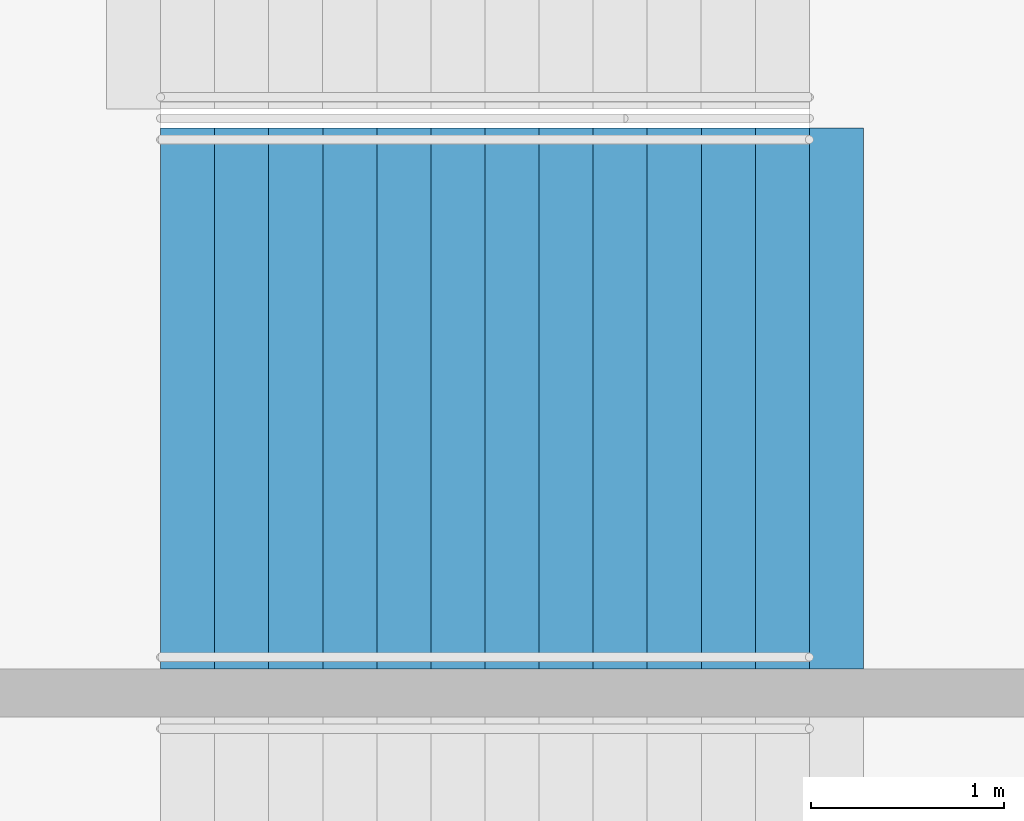
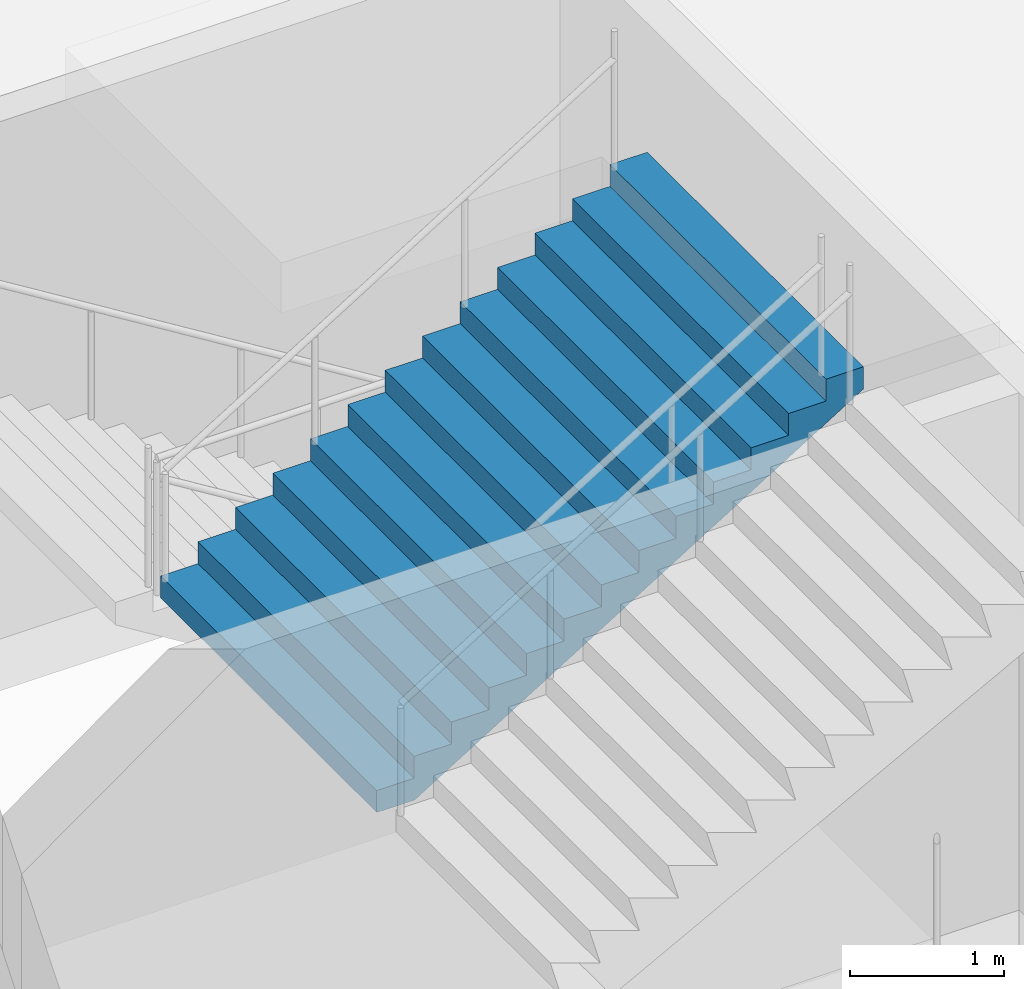
# One storey, part 192 of 249: 1 stair flight, 1 element without a shape of its own.
"""IFC4 building model written with IfcOpenShell, lengths in metres."""

from ifc_helpers import new_model, si_unit, direction, frame, origin, place, context, subcontext, project, spatial, faceted_brep, material, type_object, element, aggregate, save


model = new_model("IFC4")

# Units and contexts
model_context = context("Model", 3, precision=1e-05, world=origin(), true_north=direction((0.0, 1.0)))
body_context = subcontext(model_context, "Body", "Model", "MODEL_VIEW")
ifc_project = project(units=[si_unit("LENGTHUNIT", "METRE"), si_unit("AREAUNIT", "SQUARE_METRE"), si_unit("VOLUMEUNIT", "CUBIC_METRE"), si_unit("PLANEANGLEUNIT", "RADIAN"), si_unit("MASSUNIT", "GRAM", prefix="KILO")], contexts=[model_context])

# Site, building, storey
site_placement = place(None, origin())
site = spatial("IfcSite", under=ifc_project, at=site_placement, CompositionType="ELEMENT")
building_placement = place(site_placement, origin())
building = spatial("IfcBuilding", under=site, at=building_placement, Name="Ogive Plaza Stadium", CompositionType="ELEMENT")
storey_placement = place(building_placement, frame((0.0, 0.0, 13.5)))
storey = spatial("IfcBuildingStorey", under=building, at=storey_placement, Name="L03", CompositionType="ELEMENT", Elevation=13.5)

# Stair, stair flight
ifc_material_1 = material(Name="Concrete C40/50", Category="concrete")
stair_type = type_object("IfcStairType", Name="Exit stair", PredefinedType="STRAIGHT_RUN_STAIR", material=ifc_material_1)
stair_placement = place(storey_placement, origin())
stair = element("IfcStair", 1, at=stair_placement, inside=storey, type_object=stair_type, Name="Exit stair ST28A L03 to L04", PredefinedType="STRAIGHT_RUN_STAIR")
ifc_material_2 = material(Name="Concrete C40/50", Category="concrete")
stair_flight_type = type_object("IfcStairFlightType", Name="Exit stair flight", PredefinedType="STRAIGHT", material=ifc_material_2)
stair_flight_placement = place(storey_placement, frame((-79.7099609375, 54.02490234375, 2.25), z_axis=(0.0, 0.0, 1.0), x_axis=(1.0, 0.0, 0.0)))
stair_flight = element("IfcStairFlight", 2, at=stair_flight_placement, type_object=stair_flight_type, Name="ST28A flight 2", NumberOfRisers=13, NumberOfTreads=12, PredefinedType="STRAIGHT", RiserHeight=0.173076923, TreadLength=0.28, context=body_context, shape_type="Brep", body=[
    faceted_brep([(0.28515625, -1.39990234375, 0.0), (3.639892578125, -1.39990234375, 2.07373046875), (3.639892578125, -1.39990234375, 2.25), (3.360107421875, -1.39990234375, 2.25), (3.360107421875, -1.39990234375, 2.076904296875), (3.080078125, -1.39990234375, 2.076904296875), (3.080078125, -1.39990234375, 1.90380859375), (2.800048828125, -1.39990234375, 1.90380859375), (2.800048828125, -1.39990234375, 1.730712890625), (2.52001953125, -1.39990234375, 1.730712890625), (2.52001953125, -1.39990234375, 1.5576171875), (2.239990234375, -1.39990234375, 1.5576171875), (2.239990234375, -1.39990234375, 1.384521484375), (1.9599609375, -1.39990234375, 1.384521484375), (1.9599609375, -1.39990234375, 1.21142578125), (1.679931640625, -1.39990234375, 1.21142578125), (1.679931640625, -1.39990234375, 1.03857421875), (1.39990234375, -1.39990234375, 1.03857421875), (1.39990234375, -1.39990234375, 0.865478515625), (1.1201171875, -1.39990234375, 0.865478515625), (1.1201171875, -1.39990234375, 0.6923828125), (0.840087890625, -1.39990234375, 0.6923828125), (0.840087890625, -1.39990234375, 0.519287109375), (0.56005859375, -1.39990234375, 0.519287109375), (0.56005859375, -1.39990234375, 0.34619140625), (0.280029296875, -1.39990234375, 0.34619140625), (0.280029296875, -1.39990234375, 0.173095703125), (0.0, -1.39990234375, 0.173095703125), (0.0, -1.39990234375, 0.0), (0.0, 1.39990234375, 0.0), (0.0, 1.39990234375, 0.173095703125), (0.280029296875, 1.39990234375, 0.173095703125), (0.280029296875, 1.39990234375, 0.34619140625), (0.56005859375, 1.39990234375, 0.34619140625), (0.56005859375, 1.39990234375, 0.519287109375), (0.840087890625, 1.39990234375, 0.519287109375), (0.840087890625, 1.39990234375, 0.6923828125), (1.1201171875, 1.39990234375, 0.6923828125), (1.1201171875, 1.39990234375, 0.865478515625), (1.39990234375, 1.39990234375, 0.865478515625), (1.39990234375, 1.39990234375, 1.03857421875), (1.679931640625, 1.39990234375, 1.03857421875), (1.679931640625, 1.39990234375, 1.21142578125), (1.9599609375, 1.39990234375, 1.21142578125), (1.9599609375, 1.39990234375, 1.384521484375), (2.239990234375, 1.39990234375, 1.384521484375), (2.239990234375, 1.39990234375, 1.5576171875), (2.52001953125, 1.39990234375, 1.5576171875), (2.52001953125, 1.39990234375, 1.730712890625), (2.800048828125, 1.39990234375, 1.730712890625), (2.800048828125, 1.39990234375, 1.90380859375), (3.080078125, 1.39990234375, 1.90380859375), (3.080078125, 1.39990234375, 2.076904296875), (3.360107421875, 1.39990234375, 2.076904296875), (3.360107421875, 1.39990234375, 2.25), (3.639892578125, 1.39990234375, 2.25), (3.639892578125, 1.39990234375, 2.07373046875), (0.28515625, 1.39990234375, 0.0), (0.28515625, -1.0888671875, 0.0), (3.639892578125, -1.0888671875, 2.07373046875), (0.28515625, -0.77783203125, 0.0), (3.639892578125, -0.77783203125, 2.07373046875), (0.28515625, -0.466796875, 0.0), (3.639892578125, -0.466796875, 2.07373046875), (0.28515625, -0.155517578125, 0.0), (3.639892578125, -0.155517578125, 2.07373046875), (0.28515625, 0.155517578125, 0.0), (3.639892578125, 0.155517578125, 2.07373046875), (0.28515625, 0.466796875, 0.0), (3.639892578125, 0.466796875, 2.07373046875), (0.28515625, 0.77783203125, 0.0), (3.639892578125, 0.77783203125, 2.07373046875), (0.28515625, 1.0888671875, 0.0), (3.639892578125, 1.0888671875, 2.07373046875), (3.639892578125, -1.0888671875, 2.25), (3.639892578125, -0.77783203125, 2.25), (3.639892578125, -0.466796875, 2.25), (3.639892578125, -0.155517578125, 2.25), (3.639892578125, 0.155517578125, 2.25), (3.639892578125, 0.466796875, 2.25), (3.639892578125, 0.77783203125, 2.25), (3.639892578125, 1.0888671875, 2.25), (3.360107421875, -1.0888671875, 2.25), (3.360107421875, -0.77783203125, 2.25), (3.360107421875, -0.466796875, 2.25), (3.360107421875, -0.155517578125, 2.25), (3.360107421875, 0.155517578125, 2.25), (3.360107421875, 0.466796875, 2.25), (3.360107421875, 0.77783203125, 2.25), (3.360107421875, 1.0888671875, 2.25), (3.360107421875, -1.0888671875, 2.076904296875), (3.360107421875, -0.77783203125, 2.076904296875), (3.360107421875, -0.466796875, 2.076904296875), (3.360107421875, -0.155517578125, 2.076904296875), (3.360107421875, 0.155517578125, 2.076904296875), (3.360107421875, 0.466796875, 2.076904296875), (3.360107421875, 0.77783203125, 2.076904296875), (3.360107421875, 1.0888671875, 2.076904296875), (3.080078125, -1.0888671875, 2.076904296875), (3.080078125, -0.77783203125, 2.076904296875), (3.080078125, -0.466796875, 2.076904296875), (3.080078125, -0.155517578125, 2.076904296875), (3.080078125, 0.155517578125, 2.076904296875), (3.080078125, 0.466796875, 2.076904296875), (3.080078125, 0.77783203125, 2.076904296875), (3.080078125, 1.0888671875, 2.076904296875), (3.080078125, -1.0888671875, 1.90380859375), (3.080078125, -0.77783203125, 1.90380859375), (3.080078125, -0.466796875, 1.90380859375), (3.080078125, -0.155517578125, 1.90380859375), (3.080078125, 0.155517578125, 1.90380859375), (3.080078125, 0.466796875, 1.90380859375), (3.080078125, 0.77783203125, 1.90380859375), (3.080078125, 1.0888671875, 1.90380859375), (2.800048828125, -1.0888671875, 1.90380859375), (2.800048828125, -0.77783203125, 1.90380859375), (2.800048828125, -0.466796875, 1.90380859375), (2.800048828125, -0.155517578125, 1.90380859375), (2.800048828125, 0.155517578125, 1.90380859375), (2.800048828125, 0.466796875, 1.90380859375), (2.800048828125, 0.77783203125, 1.90380859375), (2.800048828125, 1.0888671875, 1.90380859375), (2.800048828125, -1.0888671875, 1.730712890625), (2.800048828125, -0.77783203125, 1.730712890625), (2.800048828125, -0.466796875, 1.730712890625), (2.800048828125, -0.155517578125, 1.730712890625), (2.800048828125, 0.155517578125, 1.730712890625), (2.800048828125, 0.466796875, 1.730712890625), (2.800048828125, 0.77783203125, 1.730712890625), (2.800048828125, 1.0888671875, 1.730712890625), (2.52001953125, -1.0888671875, 1.730712890625), (2.52001953125, -0.77783203125, 1.730712890625), (2.52001953125, -0.466796875, 1.730712890625), (2.52001953125, -0.155517578125, 1.730712890625), (2.52001953125, 0.155517578125, 1.730712890625), (2.52001953125, 0.466796875, 1.730712890625), (2.52001953125, 0.77783203125, 1.730712890625), (2.52001953125, 1.0888671875, 1.730712890625), (2.52001953125, -1.0888671875, 1.5576171875), (2.52001953125, -0.77783203125, 1.5576171875), (2.52001953125, -0.466796875, 1.5576171875), (2.52001953125, -0.155517578125, 1.5576171875), (2.52001953125, 0.155517578125, 1.5576171875), (2.52001953125, 0.466796875, 1.5576171875), (2.52001953125, 0.77783203125, 1.5576171875), (2.52001953125, 1.0888671875, 1.5576171875), (2.239990234375, -1.0888671875, 1.5576171875), (2.239990234375, -0.77783203125, 1.5576171875), (2.239990234375, -0.466796875, 1.5576171875), (2.239990234375, -0.155517578125, 1.5576171875), (2.239990234375, 0.155517578125, 1.5576171875), (2.239990234375, 0.466796875, 1.5576171875), (2.239990234375, 0.77783203125, 1.5576171875), (2.239990234375, 1.0888671875, 1.5576171875), (2.239990234375, -1.0888671875, 1.384521484375), (2.239990234375, -0.77783203125, 1.384521484375), (2.239990234375, -0.466796875, 1.384521484375), (2.239990234375, -0.155517578125, 1.384521484375), (2.239990234375, 0.155517578125, 1.384521484375), (2.239990234375, 0.466796875, 1.384521484375), (2.239990234375, 0.77783203125, 1.384521484375), (2.239990234375, 1.0888671875, 1.384521484375), (1.9599609375, -1.0888671875, 1.384521484375), (1.9599609375, -0.77783203125, 1.384521484375), (1.9599609375, -0.466796875, 1.384521484375), (1.9599609375, -0.155517578125, 1.384521484375), (1.9599609375, 0.155517578125, 1.384521484375), (1.9599609375, 0.466796875, 1.384521484375), (1.9599609375, 0.77783203125, 1.384521484375), (1.9599609375, 1.0888671875, 1.384521484375), (1.9599609375, -1.0888671875, 1.21142578125), (1.9599609375, -0.77783203125, 1.21142578125), (1.9599609375, -0.466796875, 1.21142578125), (1.9599609375, -0.155517578125, 1.21142578125), (1.9599609375, 0.155517578125, 1.21142578125), (1.9599609375, 0.466796875, 1.21142578125), (1.9599609375, 0.77783203125, 1.21142578125), (1.9599609375, 1.0888671875, 1.21142578125), (1.679931640625, -1.0888671875, 1.21142578125), (1.679931640625, -0.77783203125, 1.21142578125), (1.679931640625, -0.466796875, 1.21142578125), (1.679931640625, -0.155517578125, 1.21142578125), (1.679931640625, 0.155517578125, 1.21142578125), (1.679931640625, 0.466796875, 1.21142578125), (1.679931640625, 0.77783203125, 1.21142578125), (1.679931640625, 1.0888671875, 1.21142578125), (1.679931640625, -1.0888671875, 1.03857421875), (1.679931640625, -0.77783203125, 1.03857421875), (1.679931640625, -0.466796875, 1.03857421875), (1.679931640625, -0.155517578125, 1.03857421875), (1.679931640625, 0.155517578125, 1.03857421875), (1.679931640625, 0.466796875, 1.03857421875), (1.679931640625, 0.77783203125, 1.03857421875), (1.679931640625, 1.0888671875, 1.03857421875), (1.39990234375, -1.0888671875, 1.03857421875), (1.39990234375, -0.77783203125, 1.03857421875), (1.39990234375, -0.466796875, 1.03857421875), (1.39990234375, -0.155517578125, 1.03857421875), (1.39990234375, 0.155517578125, 1.03857421875), (1.39990234375, 0.466796875, 1.03857421875), (1.39990234375, 0.77783203125, 1.03857421875), (1.39990234375, 1.0888671875, 1.03857421875), (1.39990234375, -1.0888671875, 0.865478515625), (1.39990234375, -0.77783203125, 0.865478515625), (1.39990234375, -0.466796875, 0.865478515625), (1.39990234375, -0.155517578125, 0.865478515625), (1.39990234375, 0.155517578125, 0.865478515625), (1.39990234375, 0.466796875, 0.865478515625), (1.39990234375, 0.77783203125, 0.865478515625), (1.39990234375, 1.0888671875, 0.865478515625), (1.1201171875, -1.0888671875, 0.865478515625), (1.1201171875, -0.77783203125, 0.865478515625), (1.1201171875, -0.466796875, 0.865478515625), (1.1201171875, -0.155517578125, 0.865478515625), (1.1201171875, 0.155517578125, 0.865478515625), (1.1201171875, 0.466796875, 0.865478515625), (1.1201171875, 0.77783203125, 0.865478515625), (1.1201171875, 1.0888671875, 0.865478515625), (1.1201171875, -1.0888671875, 0.6923828125), (1.1201171875, -0.77783203125, 0.6923828125), (1.1201171875, -0.466796875, 0.6923828125), (1.1201171875, -0.155517578125, 0.6923828125), (1.1201171875, 0.155517578125, 0.6923828125), (1.1201171875, 0.466796875, 0.6923828125), (1.1201171875, 0.77783203125, 0.6923828125), (1.1201171875, 1.0888671875, 0.6923828125), (0.840087890625, -1.0888671875, 0.6923828125), (0.840087890625, -0.77783203125, 0.6923828125), (0.840087890625, -0.466796875, 0.6923828125), (0.840087890625, -0.155517578125, 0.6923828125), (0.840087890625, 0.155517578125, 0.6923828125), (0.840087890625, 0.466796875, 0.6923828125), (0.840087890625, 0.77783203125, 0.6923828125), (0.840087890625, 1.0888671875, 0.6923828125), (0.840087890625, -1.0888671875, 0.519287109375), (0.840087890625, -0.77783203125, 0.519287109375), (0.840087890625, -0.466796875, 0.519287109375), (0.840087890625, -0.155517578125, 0.519287109375), (0.840087890625, 0.155517578125, 0.519287109375), (0.840087890625, 0.466796875, 0.519287109375), (0.840087890625, 0.77783203125, 0.519287109375), (0.840087890625, 1.0888671875, 0.519287109375), (0.56005859375, -1.0888671875, 0.519287109375), (0.56005859375, -0.77783203125, 0.519287109375), (0.56005859375, -0.466796875, 0.519287109375), (0.56005859375, -0.155517578125, 0.519287109375), (0.56005859375, 0.155517578125, 0.519287109375), (0.56005859375, 0.466796875, 0.519287109375), (0.56005859375, 0.77783203125, 0.519287109375), (0.56005859375, 1.0888671875, 0.519287109375), (0.56005859375, -1.0888671875, 0.34619140625), (0.56005859375, -0.77783203125, 0.34619140625), (0.56005859375, -0.466796875, 0.34619140625), (0.56005859375, -0.155517578125, 0.34619140625), (0.56005859375, 0.155517578125, 0.34619140625), (0.56005859375, 0.466796875, 0.34619140625), (0.56005859375, 0.77783203125, 0.34619140625), (0.56005859375, 1.0888671875, 0.34619140625), (0.280029296875, -1.0888671875, 0.34619140625), (0.280029296875, -0.77783203125, 0.34619140625), (0.280029296875, -0.466796875, 0.34619140625), (0.280029296875, -0.155517578125, 0.34619140625), (0.280029296875, 0.155517578125, 0.34619140625), (0.280029296875, 0.466796875, 0.34619140625), (0.280029296875, 0.77783203125, 0.34619140625), (0.280029296875, 1.0888671875, 0.34619140625), (0.280029296875, -1.0888671875, 0.173095703125), (0.280029296875, -0.77783203125, 0.173095703125), (0.280029296875, -0.466796875, 0.173095703125), (0.280029296875, -0.155517578125, 0.173095703125), (0.280029296875, 0.155517578125, 0.173095703125), (0.280029296875, 0.466796875, 0.173095703125), (0.280029296875, 0.77783203125, 0.173095703125), (0.280029296875, 1.0888671875, 0.173095703125), (0.0, -1.0888671875, 0.173095703125), (0.0, -0.77783203125, 0.173095703125), (0.0, -0.466796875, 0.173095703125), (0.0, -0.155517578125, 0.173095703125), (0.0, 0.155517578125, 0.173095703125), (0.0, 0.466796875, 0.173095703125), (0.0, 0.77783203125, 0.173095703125), (0.0, 1.0888671875, 0.173095703125), (0.0, -1.0888671875, 0.0), (0.0, -0.77783203125, 0.0), (0.0, -0.466796875, 0.0), (0.0, -0.155517578125, 0.0), (0.0, 0.155517578125, 0.0), (0.0, 0.466796875, 0.0), (0.0, 0.77783203125, 0.0), (0.0, 1.0888671875, 0.0)], [[[0, 1, 2, 3, 4, 5, 6, 7, 8, 9, 10, 11, 12, 13, 14, 15, 16, 17, 18, 19, 20, 21, 22, 23, 24, 25, 26, 27, 28]], [[29, 30, 31, 32, 33, 34, 35, 36, 37, 38, 39, 40, 41, 42, 43, 44, 45, 46, 47, 48, 49, 50, 51, 52, 53, 54, 55, 56, 57]], [[0, 58, 59, 1]], [[58, 60, 61, 59]], [[60, 62, 63, 61]], [[62, 64, 65, 63]], [[64, 66, 67, 65]], [[66, 68, 69, 67]], [[68, 70, 71, 69]], [[70, 72, 73, 71]], [[72, 57, 56, 73]], [[1, 59, 74, 2]], [[59, 61, 75, 74]], [[61, 63, 76, 75]], [[63, 65, 77, 76]], [[65, 67, 78, 77]], [[67, 69, 79, 78]], [[69, 71, 80, 79]], [[71, 73, 81, 80]], [[73, 56, 55, 81]], [[2, 74, 82, 3]], [[74, 75, 83, 82]], [[75, 76, 84, 83]], [[76, 77, 85, 84]], [[77, 78, 86, 85]], [[78, 79, 87, 86]], [[79, 80, 88, 87]], [[80, 81, 89, 88]], [[81, 55, 54, 89]], [[3, 82, 90, 4]], [[82, 83, 91, 90]], [[83, 84, 92, 91]], [[84, 85, 93, 92]], [[85, 86, 94, 93]], [[86, 87, 95, 94]], [[87, 88, 96, 95]], [[88, 89, 97, 96]], [[89, 54, 53, 97]], [[4, 90, 98, 5]], [[90, 91, 99, 98]], [[91, 92, 100, 99]], [[92, 93, 101, 100]], [[93, 94, 102, 101]], [[94, 95, 103, 102]], [[95, 96, 104, 103]], [[96, 97, 105, 104]], [[97, 53, 52, 105]], [[5, 98, 106, 6]], [[98, 99, 107, 106]], [[99, 100, 108, 107]], [[100, 101, 109, 108]], [[101, 102, 110, 109]], [[102, 103, 111, 110]], [[103, 104, 112, 111]], [[104, 105, 113, 112]], [[105, 52, 51, 113]], [[6, 106, 114, 7]], [[106, 107, 115, 114]], [[107, 108, 116, 115]], [[108, 109, 117, 116]], [[109, 110, 118, 117]], [[110, 111, 119, 118]], [[111, 112, 120, 119]], [[112, 113, 121, 120]], [[113, 51, 50, 121]], [[7, 114, 122, 8]], [[114, 115, 123, 122]], [[115, 116, 124, 123]], [[116, 117, 125, 124]], [[117, 118, 126, 125]], [[118, 119, 127, 126]], [[119, 120, 128, 127]], [[120, 121, 129, 128]], [[121, 50, 49, 129]], [[8, 122, 130, 9]], [[122, 123, 131, 130]], [[123, 124, 132, 131]], [[124, 125, 133, 132]], [[125, 126, 134, 133]], [[126, 127, 135, 134]], [[127, 128, 136, 135]], [[128, 129, 137, 136]], [[129, 49, 48, 137]], [[9, 130, 138, 10]], [[130, 131, 139, 138]], [[131, 132, 140, 139]], [[132, 133, 141, 140]], [[133, 134, 142, 141]], [[134, 135, 143, 142]], [[135, 136, 144, 143]], [[136, 137, 145, 144]], [[137, 48, 47, 145]], [[10, 138, 146, 11]], [[138, 139, 147, 146]], [[139, 140, 148, 147]], [[140, 141, 149, 148]], [[141, 142, 150, 149]], [[142, 143, 151, 150]], [[143, 144, 152, 151]], [[144, 145, 153, 152]], [[145, 47, 46, 153]], [[11, 146, 154, 12]], [[146, 147, 155, 154]], [[147, 148, 156, 155]], [[148, 149, 157, 156]], [[149, 150, 158, 157]], [[150, 151, 159, 158]], [[151, 152, 160, 159]], [[152, 153, 161, 160]], [[153, 46, 45, 161]], [[12, 154, 162, 13]], [[154, 155, 163, 162]], [[155, 156, 164, 163]], [[156, 157, 165, 164]], [[157, 158, 166, 165]], [[158, 159, 167, 166]], [[159, 160, 168, 167]], [[160, 161, 169, 168]], [[161, 45, 44, 169]], [[13, 162, 170, 14]], [[162, 163, 171, 170]], [[163, 164, 172, 171]], [[164, 165, 173, 172]], [[165, 166, 174, 173]], [[166, 167, 175, 174]], [[167, 168, 176, 175]], [[168, 169, 177, 176]], [[169, 44, 43, 177]], [[14, 170, 178, 15]], [[170, 171, 179, 178]], [[171, 172, 180, 179]], [[172, 173, 181, 180]], [[173, 174, 182, 181]], [[174, 175, 183, 182]], [[175, 176, 184, 183]], [[176, 177, 185, 184]], [[177, 43, 42, 185]], [[15, 178, 186, 16]], [[178, 179, 187, 186]], [[179, 180, 188, 187]], [[180, 181, 189, 188]], [[181, 182, 190, 189]], [[182, 183, 191, 190]], [[183, 184, 192, 191]], [[184, 185, 193, 192]], [[185, 42, 41, 193]], [[16, 186, 194, 17]], [[186, 187, 195, 194]], [[187, 188, 196, 195]], [[188, 189, 197, 196]], [[189, 190, 198, 197]], [[190, 191, 199, 198]], [[191, 192, 200, 199]], [[192, 193, 201, 200]], [[193, 41, 40, 201]], [[17, 194, 202, 18]], [[194, 195, 203, 202]], [[195, 196, 204, 203]], [[196, 197, 205, 204]], [[197, 198, 206, 205]], [[198, 199, 207, 206]], [[199, 200, 208, 207]], [[200, 201, 209, 208]], [[201, 40, 39, 209]], [[18, 202, 210, 19]], [[202, 203, 211, 210]], [[203, 204, 212, 211]], [[204, 205, 213, 212]], [[205, 206, 214, 213]], [[206, 207, 215, 214]], [[207, 208, 216, 215]], [[208, 209, 217, 216]], [[209, 39, 38, 217]], [[19, 210, 218, 20]], [[210, 211, 219, 218]], [[211, 212, 220, 219]], [[212, 213, 221, 220]], [[213, 214, 222, 221]], [[214, 215, 223, 222]], [[215, 216, 224, 223]], [[216, 217, 225, 224]], [[217, 38, 37, 225]], [[20, 218, 226, 21]], [[218, 219, 227, 226]], [[219, 220, 228, 227]], [[220, 221, 229, 228]], [[221, 222, 230, 229]], [[222, 223, 231, 230]], [[223, 224, 232, 231]], [[224, 225, 233, 232]], [[225, 37, 36, 233]], [[21, 226, 234, 22]], [[226, 227, 235, 234]], [[227, 228, 236, 235]], [[228, 229, 237, 236]], [[229, 230, 238, 237]], [[230, 231, 239, 238]], [[231, 232, 240, 239]], [[232, 233, 241, 240]], [[233, 36, 35, 241]], [[22, 234, 242, 23]], [[234, 235, 243, 242]], [[235, 236, 244, 243]], [[236, 237, 245, 244]], [[237, 238, 246, 245]], [[238, 239, 247, 246]], [[239, 240, 248, 247]], [[240, 241, 249, 248]], [[241, 35, 34, 249]], [[23, 242, 250, 24]], [[242, 243, 251, 250]], [[243, 244, 252, 251]], [[244, 245, 253, 252]], [[245, 246, 254, 253]], [[246, 247, 255, 254]], [[247, 248, 256, 255]], [[248, 249, 257, 256]], [[249, 34, 33, 257]], [[24, 250, 258, 25]], [[250, 251, 259, 258]], [[251, 252, 260, 259]], [[252, 253, 261, 260]], [[253, 254, 262, 261]], [[254, 255, 263, 262]], [[255, 256, 264, 263]], [[256, 257, 265, 264]], [[257, 33, 32, 265]], [[25, 258, 266, 26]], [[258, 259, 267, 266]], [[259, 260, 268, 267]], [[260, 261, 269, 268]], [[261, 262, 270, 269]], [[262, 263, 271, 270]], [[263, 264, 272, 271]], [[264, 265, 273, 272]], [[265, 32, 31, 273]], [[26, 266, 274, 27]], [[266, 267, 275, 274]], [[267, 268, 276, 275]], [[268, 269, 277, 276]], [[269, 270, 278, 277]], [[270, 271, 279, 278]], [[271, 272, 280, 279]], [[272, 273, 281, 280]], [[273, 31, 30, 281]], [[27, 274, 282, 28]], [[274, 275, 283, 282]], [[275, 276, 284, 283]], [[276, 277, 285, 284]], [[277, 278, 286, 285]], [[278, 279, 287, 286]], [[279, 280, 288, 287]], [[280, 281, 289, 288]], [[281, 30, 29, 289]], [[28, 282, 58, 0]], [[282, 283, 60, 58]], [[283, 284, 62, 60]], [[284, 285, 64, 62]], [[285, 286, 66, 64]], [[286, 287, 68, 66]], [[287, 288, 70, 68]], [[288, 289, 72, 70]], [[289, 29, 57, 72]]]),
])
aggregate(stair, [stair_flight])

save(model, "model.ifc")
